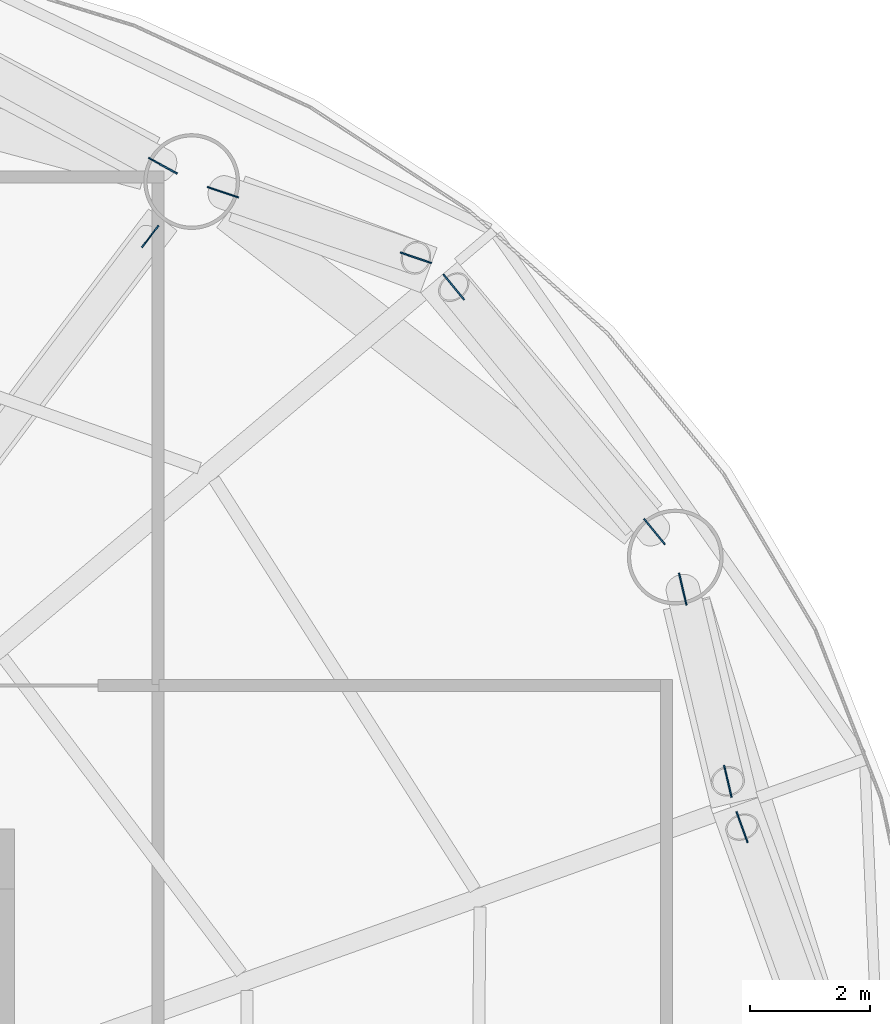
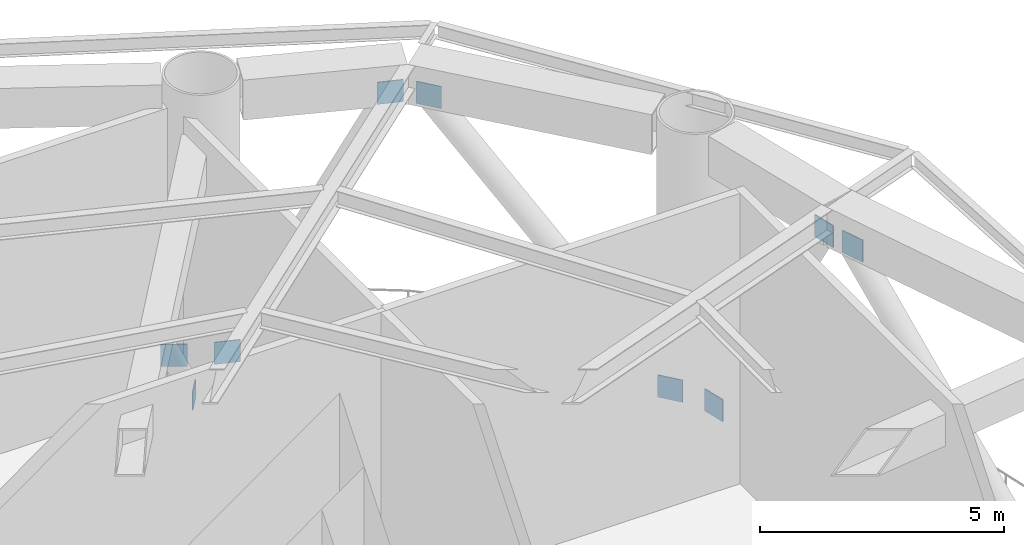
# One storey, part 12 of 15: 9 discrete accessories.
"""IFC4 building model written with IfcOpenShell, lengths in metres."""

from ifc_helpers import new_model, si_unit, direction, frame, origin, origin_2d, place, context, subcontext, project, spatial, rectangle, extrude, element, save


model = new_model("IFC4")

# Units and contexts
model_context = context("Model", 3, precision=1e-05, world=origin(), true_north=direction((0.0, 1.0)))
body_context = subcontext(model_context, "Body", "Model", "MODEL_VIEW")
ifc_project = project(units=[si_unit("LENGTHUNIT", "METRE"), si_unit("AREAUNIT", "SQUARE_METRE"), si_unit("VOLUMEUNIT", "CUBIC_METRE"), si_unit("PLANEANGLEUNIT", "RADIAN"), si_unit("MASSUNIT", "GRAM", prefix="KILO")], contexts=[model_context])

# Site, building, storey
site_placement = place(None, origin())
site = spatial("IfcSite", under=ifc_project, at=site_placement, CompositionType="ELEMENT")
building_placement = place(site_placement, origin())
building = spatial("IfcBuilding", under=site, at=building_placement, Name="Vermilion Reach Broadcast Tower", CompositionType="ELEMENT")
storey_placement = place(building_placement, frame((0.0, 0.0, 135.39990234375)))
storey = spatial("IfcBuildingStorey", under=building, at=storey_placement, Name="L32", CompositionType="ELEMENT", Elevation=135.39990234375)

# Discrete accessories
for number, where, z_axis, x_axis, name in (
    (1, (16.694580078125, 13.9716796875, 0.52490234375), (0.0, 0.0, 1.0), (-0.773036463525, -0.634361589365, 0.0), "Gusset plate BT2-D01A foot"),
    (2, (13.341796875, 18.057373046875, 6.56494140625), (0.0, 0.0, 1.0), (-0.773036463525, -0.634361589365, 0.0), "Gusset plate BT2-D01A head"),
    (3, (9.484130859375, 19.64404296875, 0.52490234375), (0.0, 0.0, 1.0), (0.321740426332, 0.946827913648, 0.0), "Gusset plate BT2-D01B foot"),
    (4, (12.7099609375, 18.548095703125, 6.56494140625), (0.0, 0.0, 1.0), (0.321740426332, 0.946827913648, 0.0), "Gusset plate BT2-D01B head"),
    (5, (8.4814453125, 20.0859375, 0.52490234375), (0.0, 0.0, 1.0), (-0.481393987687, -0.876504323218, 0.0), "Gusset plate BT2-D02A foot"),
    (6, (18.15869140625, 9.034423828125, 6.56494140625), (0.0, 0.0, 1.0), (-0.940315051773, -0.340305162185, 0.0), "Gusset plate BT2-D16A head"),
    (7, (17.1689453125, 13.010986328125, 0.52490234375), (0.0, 0.0, 1.0), (0.97359685308, 0.228274325479, 0.0), "Gusset plate BT2-D16B foot"),
    (8, (17.922119140625, 9.798583984375, 6.56494140625), (0.0, 0.0, 1.0), (0.97359685308, 0.228274325479, 0.0), "Gusset plate BT2-D16B head"),
):
    element("IfcDiscreteAccessory", number, at=place(storey_placement, frame(where, z_axis=z_axis, x_axis=x_axis)), inside=storey, Name=name, PredefinedType="NOTDEFINED", context=body_context, shape_type="SweptSolid", body=[
        extrude(rectangle(XDim=0.02490234375, YDim=0.550048828125, at=origin_2d()), origin(), (0.0, 0.0, 1.0), 0.550048828125),
    ])
discrete_accessory_placement = place(storey_placement, frame((8.2705078125, 18.9033203125, 0.37158203125), z_axis=(0.0, 0.0, 1.0), x_axis=(-0.798110018854, 0.602511740802, 0.0)))
element("IfcDiscreteAccessory", 9, at=discrete_accessory_placement, inside=storey, Name="Gusset plate OR2-02-DB foot", PredefinedType="NOTDEFINED", context=body_context, shape_type="SweptSolid", body=[
    extrude(rectangle(XDim=0.02490234375, YDim=0.45703125, at=origin_2d()), origin(), (0.0, 0.0, 1.0), 0.45703125),
])

save(model, "model.ifc")
